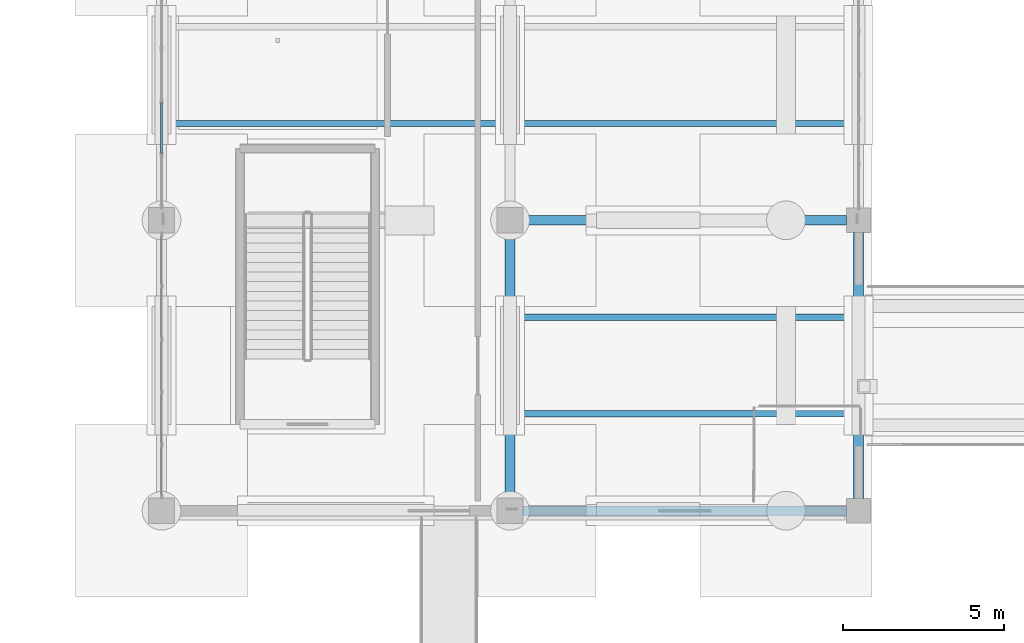
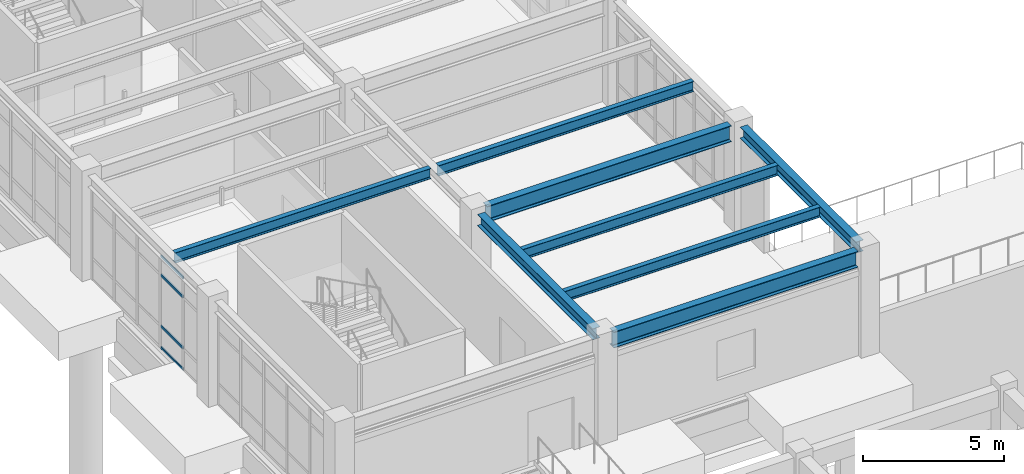
# One storey, part 36 of 98: 8 beams, 4 members, 1 element without a shape of its own.
"""IFC4 building model written with IfcOpenShell, lengths in metres."""

from ifc_helpers import new_model, si_unit, direction, frame, origin, origin_2d, place, context, subcontext, project, spatial, hollow_rectangle, i_section, extrude, material, material_profile, profile_set, type_object, element, aggregate, save


model = new_model("IFC4")

# Units and contexts
model_context = context("Model", 3, precision=1e-05, world=origin(), true_north=direction((0.0, 1.0)))
body_context = subcontext(model_context, "Body", "Model", "MODEL_VIEW")
ifc_project = project(units=[si_unit("LENGTHUNIT", "METRE"), si_unit("AREAUNIT", "SQUARE_METRE"), si_unit("VOLUMEUNIT", "CUBIC_METRE"), si_unit("PLANEANGLEUNIT", "RADIAN"), si_unit("MASSUNIT", "GRAM", prefix="KILO")], contexts=[model_context])

# Site, building, storey
site_placement = place(None, origin())
site = spatial("IfcSite", under=ifc_project, at=site_placement, CompositionType="ELEMENT")
building_placement = place(site_placement, origin())
building = spatial("IfcBuilding", under=site, at=building_placement, Name="Canglan Escarpment Cableway Terminal", CompositionType="ELEMENT")
storey_placement = place(building_placement, frame((0.0, 0.0, 9.60009765625)))
storey = spatial("IfcBuildingStorey", under=building, at=storey_placement, Name="L02", CompositionType="ELEMENT", Elevation=9.60009765625)

# Beams
ifc_material_1 = material(Name="Steel Q355B", Category="steel")
ifc_material_profile_1 = material_profile(ifc_material_1, i_section(OverallWidth=0.300048828125, OverallDepth=0.488037109375, WebThickness=0.010986328125, FlangeThickness=0.01806640625, FilletRadius=0.02587890625, at=origin_2d()), Name="HM 488x300x11x18")
ifc_profile_set_1 = profile_set([ifc_material_profile_1], Name="Steel Q355B")
beam_type_1 = type_object("IfcBeamType", Name="BM-HM488", PredefinedType="BEAM", material=ifc_profile_set_1)
beam_1_placement = place(storey_placement, frame((125.89990234375, 43.39990234375, 4.27587890625), z_axis=(0.0, 1.0, 0.0), x_axis=(-1.0, 0.0, 0.0)))
element("IfcBeam", 1, at=beam_1_placement, inside=storey, type_object=beam_type_1, Name="Primary transverse girder B-09", PredefinedType="BEAM", context=body_context, shape_type="SweptSolid", body=[
    extrude(i_section(OverallWidth=0.300048828125, OverallDepth=0.488037109375, WebThickness=0.010986328125, FlangeThickness=0.01806640625, FilletRadius=0.02587890625, at=origin_2d()), origin(), (0.0, 0.0, 1.0), 8.2001953125),
])
beam_2_placement = place(storey_placement, frame((136.699951171875, 43.375, 4.27587890625), z_axis=(0.0, 1.0, 0.0), x_axis=(-1.0, 0.0, 0.0)))
element("IfcBeam", 2, at=beam_2_placement, inside=storey, type_object=beam_type_1, Name="Primary transverse girder B-09", PredefinedType="BEAM", context=body_context, shape_type="SweptSolid", body=[
    extrude(i_section(OverallWidth=0.300048828125, OverallDepth=0.488037109375, WebThickness=0.010986328125, FlangeThickness=0.01806640625, FilletRadius=0.02587890625, at=origin_2d()), origin(), (0.0, 0.0, 1.0), 8.25),
])
ifc_material_2 = material(Name="Steel Q355C", Category="steel")
ifc_material_profile_2 = material_profile(ifc_material_2, i_section(OverallWidth=0.300048828125, OverallDepth=0.699951171875, WebThickness=0.012939453125, FlangeThickness=0.02392578125, FilletRadius=0.028076171875, at=origin_2d()), Name="HN 700x300x13x24")
ifc_profile_set_2 = profile_set([ifc_material_profile_2], Name="Steel Q355C")
beam_type_2 = type_object("IfcBeamType", Name="BM-HN700", PredefinedType="BEAM", material=ifc_profile_set_2)
for number, where, z_axis, x_axis, name in (
    (3, (126.300048828125, 43.0, 4.169921875), (1.0, 0.0, 0.0), (0.0, 1.0, 0.0), "Primary structural girder B-06"),
    (4, (126.300048828125, 52.0, 4.169921875), (1.0, 0.0, 0.0), (0.0, 1.0, 0.0), "Primary structural girder B-06"),
):
    element("IfcBeam", number, at=place(storey_placement, frame(where, z_axis=z_axis, x_axis=x_axis)), inside=storey, type_object=beam_type_2, Name=name, PredefinedType="BEAM", context=body_context, shape_type="SweptSolid", body=[
        extrude(i_section(OverallWidth=0.300048828125, OverallDepth=0.699951171875, WebThickness=0.012939453125, FlangeThickness=0.02392578125, FilletRadius=0.028076171875, at=origin_2d()), origin(), (0.0, 0.0, 1.0), 10.02490234375),
    ])

# Curtain wall, members
ifc_material_3 = material(Name="Anodized bronze aluminium and Low-E double glazing", Category="aluminium")
curtain_wall_type = type_object("IfcCurtainWallType", Name="CW-BAY-8200x4025", PredefinedType="NOTDEFINED", material=ifc_material_3)
curtain_wall_placement = place(storey_placement, origin())
curtain_wall = element("IfcCurtainWall", 5, at=curtain_wall_placement, inside=storey, type_object=curtain_wall_type, Name="Classical bay-between-piers glazed curtain wall CW-44", PredefinedType="NOTDEFINED")
ifc_material_4 = material(Name="Thermally broken anodized aluminium 6063-T6", Category="aluminium")
ifc_material_profile_3 = material_profile(ifc_material_4, hollow_rectangle(XDim=0.06005859375, YDim=0.110107421875, WallThickness=0.0029296875, InnerFilletRadius=0.0029296875, OuterFilletRadius=0.006103515625, at=origin_2d()), Name="ALU-TRAN 60x110x3")
ifc_profile_set_3 = profile_set([ifc_material_profile_3], Name="Thermally broken anodized aluminium 6063-T6")
member_type = type_object("IfcMemberType", Name="CWT-02", PredefinedType="USERDEFINED", material=ifc_profile_set_3)
member_1_placement = place(storey_placement, frame((115.10009765625, 55.6474609375, 0.02978515625), z_axis=(0.0, -1.0, 0.0), x_axis=(1.0, 0.0, 0.0)))
member_1 = element("IfcMember", 6, at=member_1_placement, type_object=member_type, Name="CW-44 transom 4.1", ObjectType="TRANSOM", PredefinedType="USERDEFINED", context=body_context, shape_type="SweptSolid", body=[
    extrude(hollow_rectangle(XDim=0.06005859375, YDim=0.110107421875, WallThickness=0.0029296875, InnerFilletRadius=0.0029296875, OuterFilletRadius=0.006103515625, at=origin_2d()), origin(), (0.0, 0.0, 1.0), 1.574951171875),
])
member_2_placement = place(storey_placement, frame((115.10009765625, 55.6474609375, 0.949951171875), z_axis=(0.0, -1.0, 0.0), x_axis=(1.0, 0.0, 0.0)))
member_2 = element("IfcMember", 7, at=member_2_placement, type_object=member_type, Name="CW-44 transom 4.2", ObjectType="TRANSOM", PredefinedType="USERDEFINED", context=body_context, shape_type="SweptSolid", body=[
    extrude(hollow_rectangle(XDim=0.06005859375, YDim=0.110107421875, WallThickness=0.0029296875, InnerFilletRadius=0.0029296875, OuterFilletRadius=0.006103515625, at=origin_2d()), origin(), (0.0, 0.0, 1.0), 1.574951171875),
])
member_3_placement = place(storey_placement, frame((115.10009765625, 55.6474609375, 3.1669921875), z_axis=(0.0, -1.0, 0.0), x_axis=(1.0, 0.0, 0.0)))
member_3 = element("IfcMember", 8, at=member_3_placement, type_object=member_type, Name="CW-44 transom 4.3", ObjectType="TRANSOM", PredefinedType="USERDEFINED", context=body_context, shape_type="SweptSolid", body=[
    extrude(hollow_rectangle(XDim=0.06005859375, YDim=0.110107421875, WallThickness=0.0029296875, InnerFilletRadius=0.0029296875, OuterFilletRadius=0.006103515625, at=origin_2d()), origin(), (0.0, 0.0, 1.0), 1.574951171875),
])
member_4_placement = place(storey_placement, frame((115.10009765625, 55.6474609375, 3.98681640625), z_axis=(0.0, -1.0, 0.0), x_axis=(1.0, 0.0, 0.0)))
member_4 = element("IfcMember", 9, at=member_4_placement, type_object=member_type, Name="CW-44 transom 4.4", ObjectType="TRANSOM", PredefinedType="USERDEFINED", context=body_context, shape_type="SweptSolid", body=[
    extrude(hollow_rectangle(XDim=0.06005859375, YDim=0.110107421875, WallThickness=0.0029296875, InnerFilletRadius=0.0029296875, OuterFilletRadius=0.006103515625, at=origin_2d()), origin(), (0.0, 0.0, 1.0), 1.574951171875),
])
aggregate(curtain_wall, [member_1, member_2, member_3, member_4])

# Beams
ifc_material_profile_4 = material_profile(ifc_material_1, i_section(OverallWidth=0.199951171875, OverallDepth=0.449951171875, WebThickness=0.009033203125, FlangeThickness=0.013916015625, FilletRadius=0.01806640625, at=origin_2d()), Name="HN 450x200x9x14")
ifc_profile_set_4 = profile_set([ifc_material_profile_4], Name="Steel Q355B")
beam_type_3 = type_object("IfcBeamType", Name="JS-HN450", PredefinedType="JOIST", material=ifc_profile_set_4)
for number, where, z_axis, x_axis, name in (
    (10, (115.25, 55.0, 4.294921875), (1.0, 0.0, 0.0), (0.0, 1.0, 0.0), "Secondary composite deck joist J-02"),
    (11, (126.050048828125, 46.0, 4.294921875), (1.0, 0.0, 0.0), (0.0, 1.0, 0.0), "Secondary composite deck joist J-02"),
    (12, (126.050048828125, 49.0, 4.294921875), (1.0, 0.0, 0.0), (0.0, 1.0, 0.0), "Secondary composite deck joist J-02"),
    (13, (126.050048828125, 55.0, 4.294921875), (1.0, 0.0, 0.0), (0.0, 1.0, 0.0), "Secondary composite deck joist J-02"),
):
    element("IfcBeam", number, at=place(storey_placement, frame(where, z_axis=z_axis, x_axis=x_axis)), inside=storey, type_object=beam_type_3, Name=name, PredefinedType="JOIST", context=body_context, shape_type="SweptSolid", body=[
        extrude(i_section(OverallWidth=0.199951171875, OverallDepth=0.449951171875, WebThickness=0.009033203125, FlangeThickness=0.013916015625, FilletRadius=0.01806640625, at=origin_2d()), origin(), (0.0, 0.0, 1.0), 10.5),
    ])

save(model, "model.ifc")
